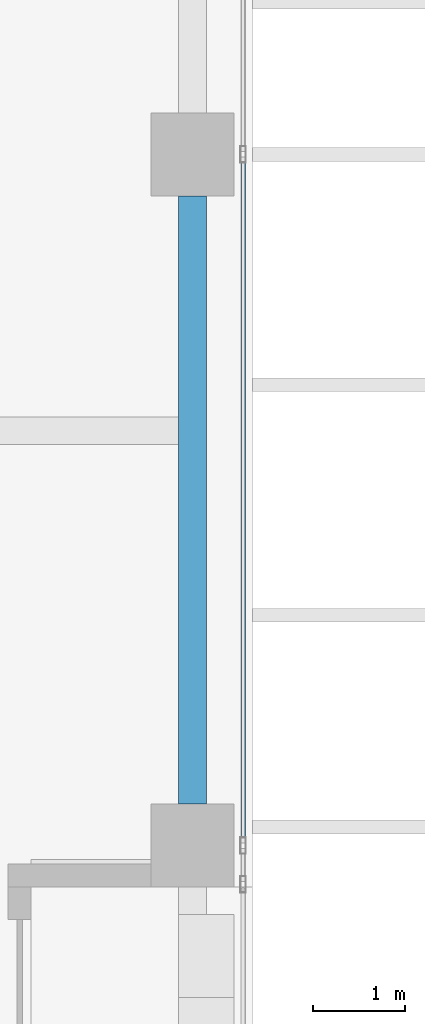
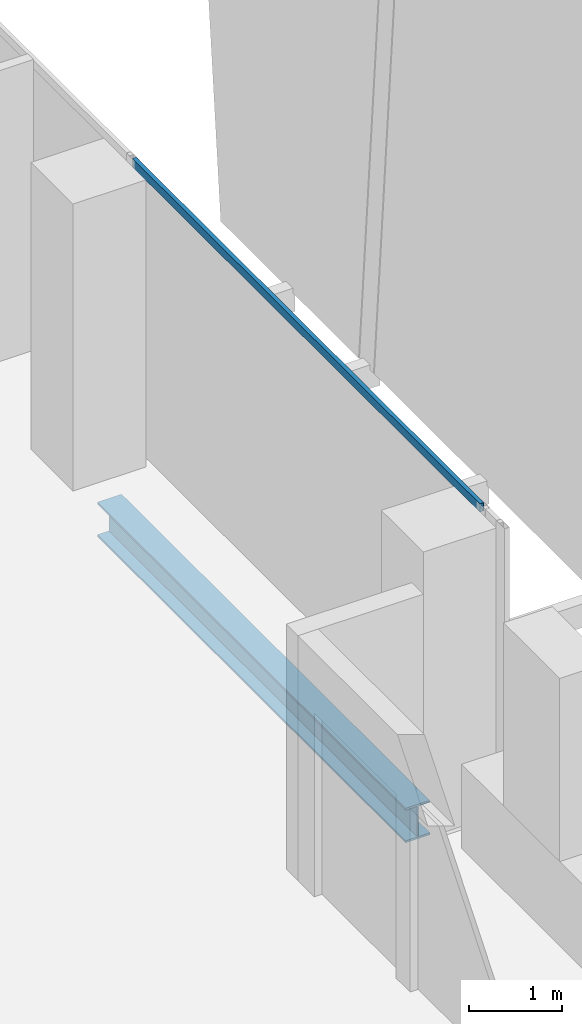
# One storey, part 13 of 35: 1 beam, 1 member, 1 element without a shape of its own.
"""IFC4 building model written with IfcOpenShell, lengths in metres."""

import ifcopenshell
import ifcopenshell.guid

model = None  # the IFC model being written
_history = None  # IfcOwnerHistory: only IFC2X3 demands one
_inside = {}  # id of a spatial element -> (the spatial element, [elements in it])
_under = {}  # id of a project, library or spatial element -> (it, [spatial elements below it])
_declared = {}  # id of a project -> (the project, [libraries it declares])
_typed = {}  # id of a type object -> (the type object, [elements of that type])
_made_of = {}  # id of a material, layer set ... -> (it, [elements and type objects made of it])


def new_model(schema):
    """Start an empty IFC model of exactly this schema.

    Asked for "IFC4X3", IfcOpenShell would pick the latest addendum, in which some entities
    have other attributes; the version numbers below select the first issue.
    IFC2X3 requires an IfcOwnerHistory on every rooted entity: one is made here for all.
    """
    global model, _history
    if schema == "IFC4X3":
        model = ifcopenshell.file(schema_version=(4, 3, 0, 0))
    else:
        model = ifcopenshell.file(schema=schema)
    _inside.clear()
    _under.clear()
    _declared.clear()
    _typed.clear()
    _made_of.clear()
    _history = None
    if model.schema == "IFC2X3":
        org = make("IfcOrganization", Name="unknown")
        user = make(
            "IfcPersonAndOrganization",
            ThePerson=make("IfcPerson", FamilyName="unknown"),
            TheOrganization=org,
        )
        app = make(
            "IfcApplication",
            ApplicationDeveloper=org,
            Version="unknown",
            ApplicationFullName="unknown",
            ApplicationIdentifier="unknown",
        )
        _history = make(
            "IfcOwnerHistory",
            OwningUser=user,
            OwningApplication=app,
            ChangeAction="ADDED",
            CreationDate=0,
        )
    return model


def make(cls, **values):
    """One entity of the class cls with the attributes given. An attribute that is None is left unset."""
    return model.create_entity(
        cls, **{name: value for name, value in values.items() if value is not None}
    )


def rooted(cls, **values):
    """An entity with a GlobalId (a new one), such as an element, a storey or a relation."""
    return make(cls, GlobalId=ifcopenshell.guid.new(), OwnerHistory=_history, **values)


def si_unit(unit_type, name, prefix=None):
    """IfcSIUnit, for example si_unit("LENGTHUNIT", "METRE", prefix="MILLI")."""
    return make("IfcSIUnit", UnitType=unit_type, Prefix=prefix, Name=name)


def assignment(units):
    """IfcUnitAssignment: the units of a project."""
    return None if units is None else make("IfcUnitAssignment", Units=units)


def point(xyz):
    """IfcCartesianPoint."""
    return None if xyz is None else make("IfcCartesianPoint", Coordinates=xyz)


def direction(xyz):
    """IfcDirection."""
    return None if xyz is None else make("IfcDirection", DirectionRatios=xyz)


def frame(location, z_axis=None, x_axis=None):
    """IfcAxis2Placement3D, a coordinate frame: its origin and axes. An axis left out is left unset."""
    return make(
        "IfcAxis2Placement3D",
        Location=point(location),
        Axis=direction(z_axis),
        RefDirection=direction(x_axis),
    )


def frame_2d(location, x_axis=None):
    """IfcAxis2Placement2D, a coordinate frame in the plane: its origin and x axis."""
    return make(
        "IfcAxis2Placement2D", Location=point(location), RefDirection=direction(x_axis)
    )


def origin():
    """The frame at (0, 0, 0) with its axes left unset."""
    return frame((0.0, 0.0, 0.0))


def origin_2d():
    """The frame at (0, 0) in the plane with its x axis left unset."""
    return frame_2d((0.0, 0.0))


def place(relative_to, where):
    """IfcLocalPlacement: puts the frame where relative to a parent placement (None: the world)."""
    return make(
        "IfcLocalPlacement", PlacementRelTo=relative_to, RelativePlacement=where
    )


def context(
    kind, dimensions, precision=None, world=None, true_north=None, identifier=None
):
    """IfcGeometricRepresentationContext, for example the 3D "Model" context."""
    return make(
        "IfcGeometricRepresentationContext",
        ContextIdentifier=identifier,
        ContextType=kind,
        CoordinateSpaceDimension=dimensions,
        Precision=precision,
        WorldCoordinateSystem=world,
        TrueNorth=true_north,
    )


def subcontext(parent, identifier, kind, view, scale=None):
    """IfcGeometricRepresentationSubContext, for example "Body" below "Model"."""
    return make(
        "IfcGeometricRepresentationSubContext",
        ContextIdentifier=identifier,
        ContextType=kind,
        ParentContext=parent,
        TargetScale=scale,
        TargetView=view,
    )


def project(units=None, contexts=None):
    """IfcProject with its units and contexts."""
    return rooted(
        "IfcProject",
        Name="project",
        RepresentationContexts=contexts,
        UnitsInContext=assignment(units),
    )


def spatial(cls, under=None, at=None, **own):
    """A site, building, storey or space (cls), placed at a placement, below another one or the project."""
    s = rooted(cls, ObjectPlacement=at, **own)
    if under is not None:
        _under.setdefault(under.id(), (under, []))[1].append(s)
    return s


def profile(cls, at=None, kind="AREA", **sizes):
    """A parametric profile (cls). Its sizes go by their IFC names, for example OverallWidth=200.0."""
    return make(cls, ProfileType=kind, Position=at, **sizes)


def hollow_rectangle(**sizes):
    """IfcRectangleHollowProfileDef."""
    return profile("IfcRectangleHollowProfileDef", **sizes)


def i_section(**sizes):
    """IfcIShapeProfileDef."""
    return profile("IfcIShapeProfileDef", **sizes)


def extrude(swept, where, along, depth):
    """IfcExtrudedAreaSolid: the profile swept, set in the frame where, extruded along a direction by depth."""
    return make(
        "IfcExtrudedAreaSolid",
        SweptArea=swept,
        Position=where,
        ExtrudedDirection=direction(along),
        Depth=depth,
    )


def shape(context_of_items, identifier, shape_type, items):
    """IfcShapeRepresentation: the items that make up one representation, for example the "Body"."""
    return make(
        "IfcShapeRepresentation",
        ContextOfItems=context_of_items,
        RepresentationIdentifier=identifier,
        RepresentationType=shape_type,
        Items=items,
    )


def source(mapping_origin, context_of_items, identifier, shape_type, items):
    """IfcRepresentationMap: a shape defined once, which mapped items show again and again."""
    return make(
        "IfcRepresentationMap",
        MappingOrigin=mapping_origin,
        MappedRepresentation=shape(context_of_items, identifier, shape_type, items),
    )


def transform(
    local_origin,
    x_axis=None,
    y_axis=None,
    z_axis=None,
    scale=None,
    scale2=None,
    scale3=None,
    uniform=True,
):
    """IfcCartesianTransformationOperator3D, or its non-uniform kind. x_axis, y_axis, z_axis: its Axis1, 2, 3."""
    if uniform:
        return make(
            "IfcCartesianTransformationOperator3D",
            Axis1=direction(x_axis),
            Axis2=direction(y_axis),
            LocalOrigin=point(local_origin),
            Scale=scale,
            Axis3=direction(z_axis),
        )
    return make(
        "IfcCartesianTransformationOperator3DnonUniform",
        Axis1=direction(x_axis),
        Axis2=direction(y_axis),
        LocalOrigin=point(local_origin),
        Scale=scale,
        Axis3=direction(z_axis),
        Scale2=scale2,
        Scale3=scale3,
    )


def mapped(mapping_source, mapping_target):
    """IfcMappedItem: shows the shape of a source again, moved by a transform."""
    return make(
        "IfcMappedItem", MappingSource=mapping_source, MappingTarget=mapping_target
    )


def material(Name=None, Category=None):
    """IfcMaterial."""
    return make("IfcMaterial", Name=Name, Category=Category)


def material_profile(
    of_material, cross_section, Name=None, Category=None, Priority=None
):
    """IfcMaterialProfile: a cross section and its material."""
    return make(
        "IfcMaterialProfile",
        Name=Name,
        Material=of_material,
        Profile=cross_section,
        Priority=Priority,
        Category=Category,
    )


def profile_set(profiles, Name=None, composite=None):
    """IfcMaterialProfileSet."""
    return make(
        "IfcMaterialProfileSet",
        Name=Name,
        MaterialProfiles=profiles,
        CompositeProfile=composite,
    )


def made_of(thing, what):
    """Note that an element or type object is made of a material, layer set ...; save() writes the relation."""
    if what is not None:
        _made_of.setdefault(what.id(), (what, []))[1].append(thing)
    return thing


def type_object(cls, material=None, **own):
    """A type object (cls), such as IfcWallType, which elements share."""
    return made_of(rooted(cls, **own), material)


def element(
    cls,
    number,
    at=None,
    inside=None,
    cuts=None,
    type_object=None,
    material=None,
    context=None,
    identifier="Body",
    shape_type=None,
    held_by="IfcProductDefinitionShape",
    body=None,
    shapes=None,
    **own,
):
    """One element of the class cls, such as IfcWall. Its Tag is "e" and its number.

    at: its placement. inside: the storey or other place that contains it. cuts: it is an
    opening in that element (IfcRelVoidsElement). A single representation is given by context,
    identifier, shape_type and body (its items); several are given by shapes. held_by: the class
    of the entity that holds the representations. save() writes the other relations.
    """
    e = rooted(cls, Tag="e%d" % number, ObjectPlacement=at, **own)
    if body is not None:
        shapes = [shape(context, identifier, shape_type, body)]
    if shapes is not None:
        e.Representation = make(held_by, Representations=shapes)
    if inside is not None:
        _inside.setdefault(inside.id(), (inside, []))[1].append(e)
    if cuts is not None:
        rooted(
            "IfcRelVoidsElement", RelatingBuildingElement=cuts, RelatedOpeningElement=e
        )
    if type_object is not None:
        _typed.setdefault(type_object.id(), (type_object, []))[1].append(e)
    return made_of(e, material)


def aggregate(whole, parts):
    """IfcRelAggregates: a whole, such as a stair, and the parts it consists of."""
    return rooted("IfcRelAggregates", RelatingObject=whole, RelatedObjects=parts)


def save(model, path):
    """Write the relations noted so far, then the file.

    IfcRelAggregates (storeys below a building ...), IfcRelContainedInSpatialStructure (elements
    in a storey), IfcRelDefinesByType, IfcRelAssociatesMaterial and IfcRelDeclares: one each for
    every whole, place, type object, material and project.
    """
    for whole, parts in _under.values():
        aggregate(whole, parts)
    for where, things in _inside.values():
        rooted(
            "IfcRelContainedInSpatialStructure",
            RelatedElements=things,
            RelatingStructure=where,
        )
    for kind, things in _typed.values():
        rooted("IfcRelDefinesByType", RelatedObjects=things, RelatingType=kind)
    for what, things in _made_of.values():
        rooted("IfcRelAssociatesMaterial", RelatedObjects=things, RelatingMaterial=what)
    for by, libraries in _declared.values():
        rooted("IfcRelDeclares", RelatingContext=by, RelatedDefinitions=libraries)
    model.write(path)


model = new_model("IFC4")

# Units and contexts
model_context = context("Model", 3, precision=1e-05, world=origin(), true_north=direction((0.0, 1.0)))
body_context = subcontext(model_context, "Body", "Model", "MODEL_VIEW")
ifc_project = project(units=[si_unit("LENGTHUNIT", "METRE"), si_unit("AREAUNIT", "SQUARE_METRE"), si_unit("VOLUMEUNIT", "CUBIC_METRE"), si_unit("PLANEANGLEUNIT", "RADIAN"), si_unit("MASSUNIT", "GRAM", prefix="KILO")], contexts=[model_context])

# Site, building, storey
site_placement = place(None, origin())
site = spatial("IfcSite", under=ifc_project, at=site_placement, CompositionType="ELEMENT")
building_placement = place(site_placement, origin())
building = spatial("IfcBuilding", under=site, at=building_placement, Name="Khomas Fold Tower", CompositionType="ELEMENT")
storey_placement = place(building_placement, frame((0.0, 0.0, 258.199951171875)))
storey = spatial("IfcBuildingStorey", under=building, at=storey_placement, Name="L58", CompositionType="ELEMENT", Elevation=258.199951171875)

# Beam
ifc_material_1 = material(Name="Steel S355", Category="steel")
ifc_material_profile_1 = material_profile(ifc_material_1, i_section(OverallWidth=0.300048828125, OverallDepth=0.449951171875, WebThickness=0.013916015625, FlangeThickness=0.02587890625, at=origin_2d()), Name="HE 450 B")
ifc_profile_set_1 = profile_set([ifc_material_profile_1], Name="Steel S355")
beam_type = type_object("IfcBeamType", Name="HE 450 B spandrel SB4", PredefinedType="SPANDREL", material=ifc_profile_set_1)
shared_shape_1 = source(origin(), body_context, "Body", "SweptSolid", [
    extrude(i_section(OverallWidth=0.300048828125, OverallDepth=0.449951171875, WebThickness=0.013916015625, FlangeThickness=0.02587890625, at=origin_2d()), origin(), (0.0, 0.0, 1.0), 6.60009765625),
])
beam_placement = place(storey_placement, frame((48.85009765625, 27.449951171875, -0.474853515625), z_axis=(0.0, 1.0, 0.0), x_axis=(-1.0, 0.0, 0.0)))
element("IfcBeam", 1, at=beam_placement, inside=storey, type_object=beam_type, Name="SB4", PredefinedType="SPANDREL", context=body_context, shape_type="MappedRepresentation", body=[
    mapped(shared_shape_1, transform((0.0, 0.0, 0.0))),
])

# Curtain wall, member
ifc_material_2 = material(Name="Aluminium framed double glazing", Category="aluminium")
curtain_wall_type = type_object("IfcCurtainWallType", Name="SK-Unitised clear-glass wall, office floors CW2", PredefinedType="NOTDEFINED", material=ifc_material_2)
curtain_wall_placement = place(storey_placement, origin())
curtain_wall = element("IfcCurtainWall", 2, at=curtain_wall_placement, inside=storey, type_object=curtain_wall_type, Name="CW2 run L58 03-1", PredefinedType="NOTDEFINED")
ifc_material_3 = material(Name="Aluminium", Category="aluminium")
ifc_material_profile_2 = material_profile(ifc_material_3, hollow_rectangle(XDim=0.050048828125, YDim=0.110107421875, WallThickness=0.00390625, at=origin_2d()), Name="SK-Unitised clear-glass wall, office floors transom CW2-T")
ifc_profile_set_2 = profile_set([ifc_material_profile_2], Name="Aluminium")
member_type = type_object("IfcMemberType", Name="SK-Unitised clear-glass wall, office floors transom CW2-T", PredefinedType="USERDEFINED", material=ifc_profile_set_2)
shared_shape_2 = source(origin(), body_context, "Body", "SweptSolid", [
    extrude(hollow_rectangle(XDim=0.050048828125, YDim=0.110107421875, WallThickness=0.00390625, at=origin_2d()), origin(), (0.0, 0.0, 1.0), 7.43994140625),
])
member_placement = place(storey_placement, frame((49.39990234375, 27.030029296875, 3.695068359375), z_axis=(0.0, 1.0, 0.0), x_axis=(-1.0, 0.0, 0.0)))
member = element("IfcMember", 3, at=member_placement, type_object=member_type, Name="CW2 transom 2", ObjectType="TRANSOM", PredefinedType="USERDEFINED", context=body_context, shape_type="MappedRepresentation", body=[
    mapped(shared_shape_2, transform((0.0, 0.0, 0.0))),
])
aggregate(curtain_wall, [member])

save(model, "model.ifc")
